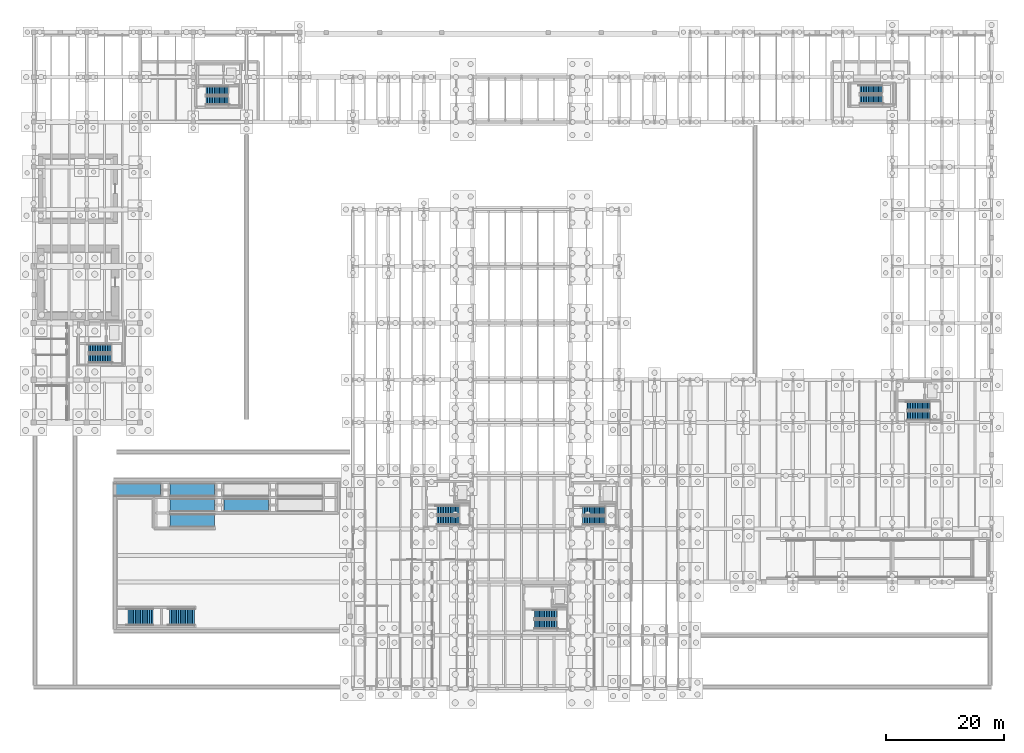
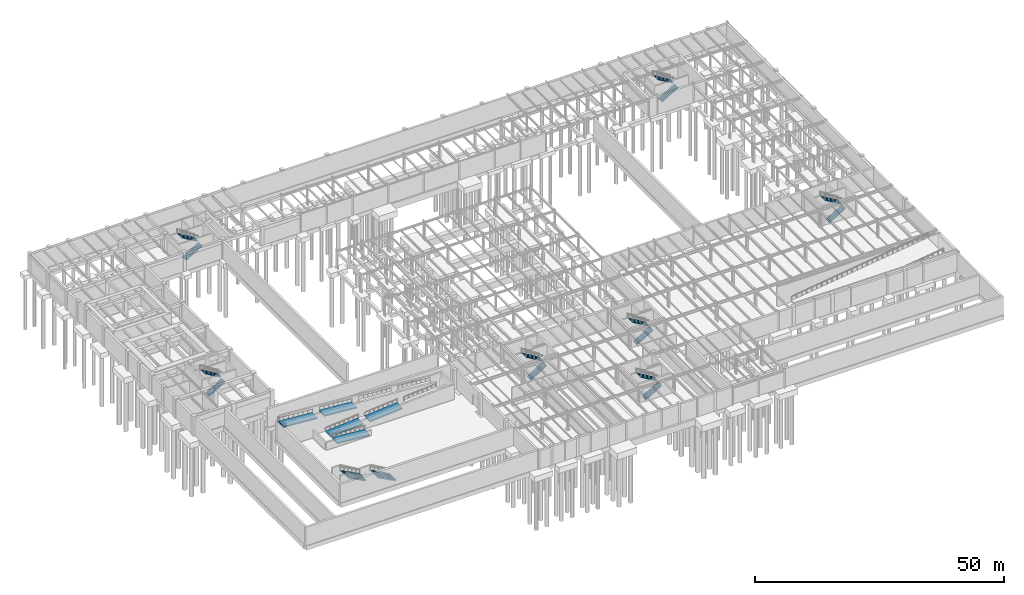
# One storey, part 48 of 59: 16 stair flights, 5 ramp flights, 13 elements without a shape of their own.
"""IFC4 building model written with IfcOpenShell, lengths in metres."""

from ifc_helpers import new_model, si_unit, direction, frame, origin, place, context, subcontext, project, spatial, polyline, outline, extrude, material, layer, layer_set, type_object, element, aggregate, save


model = new_model("IFC4")

# Units and contexts
model_context = context("Model", 3, precision=1e-05, world=origin(), true_north=direction((0.0, 1.0)))
body_context = subcontext(model_context, "Body", "Model", "MODEL_VIEW")
ifc_project = project(units=[si_unit("LENGTHUNIT", "METRE"), si_unit("AREAUNIT", "SQUARE_METRE"), si_unit("VOLUMEUNIT", "CUBIC_METRE"), si_unit("PLANEANGLEUNIT", "RADIAN"), si_unit("MASSUNIT", "GRAM", prefix="KILO")], contexts=[model_context])

# Site, building, storey
site_placement = place(None, origin())
site = spatial("IfcSite", under=ifc_project, at=site_placement, CompositionType="ELEMENT")
building_placement = place(site_placement, origin())
building = spatial("IfcBuilding", under=site, at=building_placement, Name="Montealbar Specialist Clinic", CompositionType="ELEMENT")
storey_placement = place(building_placement, frame((0.0, 0.0, -4.800048828125)))
storey = spatial("IfcBuildingStorey", under=building, at=storey_placement, Name="B01", CompositionType="ELEMENT", Elevation=-4.800048828125)

# Stair, stair flights
ifc_material_1 = material(Name="Concrete C35/45", Category="concrete")
stair_type_1 = type_object("IfcStairType", Name="STAIR-HT-01", PredefinedType="HALF_TURN_STAIR", material=ifc_material_1)
stair_1_placement = place(storey_placement, origin())
stair_1 = element("IfcStair", 1, at=stair_1_placement, inside=storey, type_object=stair_type_1, Name="B01 Protected Exit Stair Core C1", PredefinedType="HALF_TURN_STAIR")
stair_flight_type_1 = type_object("IfcStairFlightType", Name="FLIGHT-HT-01", PredefinedType="STRAIGHT", material=ifc_material_1)
stair_flight_1_placement = place(storey_placement, frame((9.35009765625, 55.824951171875, 0.0), z_axis=(0.0, 0.0, 1.0), x_axis=(1.0, 0.0, 0.0)))
stair_flight_1 = element("IfcStairFlight", 2, at=stair_flight_1_placement, type_object=stair_flight_type_1, Name="ST-01 flight 1", NumberOfRisers=14, NumberOfTreads=13, PredefinedType="STRAIGHT", RiserHeight=0.171428571, TreadLength=0.285, context=body_context, shape_type="SweptSolid", body=[
    extrude(outline(polyline([(-0.02490234375, 0.0), (-0.02490234375, 0.0400390625), (0.0, 0.0400390625), (0.0, 0.17138671875), (0.284912109375, 0.17138671875), (0.284912109375, 0.3427734375), (0.570068359375, 0.3427734375), (0.570068359375, 0.514404296875), (0.85498046875, 0.514404296875), (0.85498046875, 0.685791015625), (1.139892578125, 0.685791015625), (1.139892578125, 0.857177734375), (1.425048828125, 0.857177734375), (1.425048828125, 1.028564453125), (1.7099609375, 1.028564453125), (1.7099609375, 1.199951171875), (1.9951171875, 1.199951171875), (1.9951171875, 1.371337890625), (2.280029296875, 1.371337890625), (2.280029296875, 1.54296875), (2.56494140625, 1.54296875), (2.56494140625, 1.71435546875), (2.85009765625, 1.71435546875), (2.85009765625, 1.8857421875), (3.135009765625, 1.8857421875), (3.135009765625, 2.05712890625), (3.419921875, 2.05712890625), (3.419921875, 2.228515625), (3.705078125, 2.228515625), (3.705078125, 2.39990234375), (3.72998046875, 2.39990234375), (3.72998046875, 2.0537109375), (3.705078125, 2.0537109375), (0.290771484375, 0.0), (-0.02490234375, 0.0)])), frame((0.0, 0.72509765625, 0.0), z_axis=(0.0, -1.0, 0.0), x_axis=(1.0, 0.0, 0.0)), (0.0, 0.0, 1.0), 1.449951171875),
])
stair_flight_2_placement = place(storey_placement, frame((13.054931640625, 57.47509765625, 2.400146484375), z_axis=(0.0, 0.0, 1.0), x_axis=(-1.0, 0.0, 0.0)))
stair_flight_2 = element("IfcStairFlight", 3, at=stair_flight_2_placement, type_object=stair_flight_type_1, Name="ST-01 flight 2", NumberOfRisers=14, NumberOfTreads=13, PredefinedType="STRAIGHT", RiserHeight=0.171428571, TreadLength=0.285, context=body_context, shape_type="SweptSolid", body=[
    extrude(outline(polyline([(-0.02490234375, 0.0), (-0.02490234375, 0.0400390625), (0.0, 0.0400390625), (0.0, 0.17138671875), (0.284912109375, 0.17138671875), (0.284912109375, 0.3427734375), (0.570068359375, 0.3427734375), (0.570068359375, 0.514404296875), (0.85498046875, 0.514404296875), (0.85498046875, 0.685791015625), (1.139892578125, 0.685791015625), (1.139892578125, 0.857177734375), (1.425048828125, 0.857177734375), (1.425048828125, 1.028564453125), (1.7099609375, 1.028564453125), (1.7099609375, 1.199951171875), (1.9951171875, 1.199951171875), (1.9951171875, 1.371337890625), (2.280029296875, 1.371337890625), (2.280029296875, 1.54296875), (2.56494140625, 1.54296875), (2.56494140625, 1.71435546875), (2.85009765625, 1.71435546875), (2.85009765625, 1.8857421875), (3.135009765625, 1.8857421875), (3.135009765625, 2.05712890625), (3.419921875, 2.05712890625), (3.419921875, 2.228515625), (3.705078125, 2.228515625), (3.705078125, 2.39990234375), (3.72998046875, 2.39990234375), (3.72998046875, 2.0537109375), (3.705078125, 2.0537109375), (0.290771484375, 0.0), (-0.02490234375, 0.0)])), frame((0.0, 0.72509765625, 0.0), z_axis=(0.0, -1.0, 0.0), x_axis=(1.0, 0.0, 0.0)), (0.0, 0.0, 1.0), 1.449951171875),
])
aggregate(stair_1, [stair_flight_1, stair_flight_2])

stair_2_placement = place(storey_placement, origin())
stair_2 = element("IfcStair", 4, at=stair_2_placement, inside=storey, type_object=stair_type_1, Name="B01 Protected Exit Stair Core C2", PredefinedType="HALF_TURN_STAIR")
stair_flight_3_placement = place(storey_placement, frame((29.14990234375, 99.425048828125, 0.0), z_axis=(0.0, 0.0, 1.0), x_axis=(1.0, 0.0, 0.0)))
stair_flight_3 = element("IfcStairFlight", 5, at=stair_flight_3_placement, type_object=stair_flight_type_1, Name="ST-02 flight 1", NumberOfRisers=14, NumberOfTreads=13, PredefinedType="STRAIGHT", RiserHeight=0.171428571, TreadLength=0.285, context=body_context, shape_type="SweptSolid", body=[
    extrude(outline(polyline([(-0.02490234375, 0.0), (-0.02490234375, 0.0400390625), (0.0, 0.0400390625), (0.0, 0.17138671875), (0.284912109375, 0.17138671875), (0.284912109375, 0.3427734375), (0.570068359375, 0.3427734375), (0.570068359375, 0.514404296875), (0.85498046875, 0.514404296875), (0.85498046875, 0.685791015625), (1.139892578125, 0.685791015625), (1.139892578125, 0.857177734375), (1.425048828125, 0.857177734375), (1.425048828125, 1.028564453125), (1.7099609375, 1.028564453125), (1.7099609375, 1.199951171875), (1.9951171875, 1.199951171875), (1.9951171875, 1.371337890625), (2.280029296875, 1.371337890625), (2.280029296875, 1.54296875), (2.56494140625, 1.54296875), (2.56494140625, 1.71435546875), (2.85009765625, 1.71435546875), (2.85009765625, 1.8857421875), (3.135009765625, 1.8857421875), (3.135009765625, 2.05712890625), (3.419921875, 2.05712890625), (3.419921875, 2.228515625), (3.705078125, 2.228515625), (3.705078125, 2.39990234375), (3.72998046875, 2.39990234375), (3.72998046875, 2.0537109375), (3.705078125, 2.0537109375), (0.290771484375, 0.0), (-0.02490234375, 0.0)])), frame((0.0, 0.72509765625, 0.0), z_axis=(0.0, -1.0, 0.0), x_axis=(1.0, 0.0, 0.0)), (0.0, 0.0, 1.0), 1.449951171875),
])
stair_flight_4_placement = place(storey_placement, frame((32.85498046875, 101.074951171875, 2.400146484375), z_axis=(0.0, 0.0, 1.0), x_axis=(-1.0, 0.0, 0.0)))
stair_flight_4 = element("IfcStairFlight", 6, at=stair_flight_4_placement, type_object=stair_flight_type_1, Name="ST-02 flight 2", NumberOfRisers=14, NumberOfTreads=13, PredefinedType="STRAIGHT", RiserHeight=0.171428571, TreadLength=0.285, context=body_context, shape_type="SweptSolid", body=[
    extrude(outline(polyline([(-0.02490234375, 0.0), (-0.02490234375, 0.0400390625), (0.0, 0.0400390625), (0.0, 0.17138671875), (0.284912109375, 0.17138671875), (0.284912109375, 0.3427734375), (0.570068359375, 0.3427734375), (0.570068359375, 0.514404296875), (0.85498046875, 0.514404296875), (0.85498046875, 0.685791015625), (1.139892578125, 0.685791015625), (1.139892578125, 0.857177734375), (1.425048828125, 0.857177734375), (1.425048828125, 1.028564453125), (1.7099609375, 1.028564453125), (1.7099609375, 1.199951171875), (1.9951171875, 1.199951171875), (1.9951171875, 1.371337890625), (2.280029296875, 1.371337890625), (2.280029296875, 1.54296875), (2.56494140625, 1.54296875), (2.56494140625, 1.71435546875), (2.85009765625, 1.71435546875), (2.85009765625, 1.8857421875), (3.135009765625, 1.8857421875), (3.135009765625, 2.05712890625), (3.419921875, 2.05712890625), (3.419921875, 2.228515625), (3.705078125, 2.228515625), (3.705078125, 2.39990234375), (3.72998046875, 2.39990234375), (3.72998046875, 2.0537109375), (3.705078125, 2.0537109375), (0.290771484375, 0.0), (-0.02490234375, 0.0)])), frame((0.0, 0.72509765625, 0.0), z_axis=(0.0, -1.0, 0.0), x_axis=(1.0, 0.0, 0.0)), (0.0, 0.0, 1.0), 1.449951171875),
])
aggregate(stair_2, [stair_flight_3, stair_flight_4])

stair_3_placement = place(storey_placement, origin())
stair_3 = element("IfcStair", 7, at=stair_3_placement, inside=storey, type_object=stair_type_1, Name="B01 Protected Exit Stair Core C5", PredefinedType="HALF_TURN_STAIR")
stair_flight_5_placement = place(storey_placement, frame((92.85009765625, 28.425048828125, 0.0), z_axis=(0.0, 0.0, 1.0), x_axis=(1.0, 0.0, 0.0)))
stair_flight_5 = element("IfcStairFlight", 8, at=stair_flight_5_placement, type_object=stair_flight_type_1, Name="ST-05 flight 1", NumberOfRisers=14, NumberOfTreads=13, PredefinedType="STRAIGHT", RiserHeight=0.171428571, TreadLength=0.285, context=body_context, shape_type="SweptSolid", body=[
    extrude(outline(polyline([(-0.02490234375, 0.0), (-0.02490234375, 0.0400390625), (0.0, 0.0400390625), (0.0, 0.17138671875), (0.284912109375, 0.17138671875), (0.284912109375, 0.3427734375), (0.570068359375, 0.3427734375), (0.570068359375, 0.514404296875), (0.85498046875, 0.514404296875), (0.85498046875, 0.685791015625), (1.139892578125, 0.685791015625), (1.139892578125, 0.857177734375), (1.425048828125, 0.857177734375), (1.425048828125, 1.028564453125), (1.7099609375, 1.028564453125), (1.7099609375, 1.199951171875), (1.9951171875, 1.199951171875), (1.9951171875, 1.371337890625), (2.280029296875, 1.371337890625), (2.280029296875, 1.54296875), (2.56494140625, 1.54296875), (2.56494140625, 1.71435546875), (2.85009765625, 1.71435546875), (2.85009765625, 1.8857421875), (3.135009765625, 1.8857421875), (3.135009765625, 2.05712890625), (3.419921875, 2.05712890625), (3.419921875, 2.228515625), (3.705078125, 2.228515625), (3.705078125, 2.39990234375), (3.72998046875, 2.39990234375), (3.72998046875, 2.0537109375), (3.705078125, 2.0537109375), (0.290771484375, 0.0), (-0.02490234375, 0.0)])), frame((0.0, 0.72509765625, 0.0), z_axis=(0.0, -1.0, 0.0), x_axis=(1.0, 0.0, 0.0)), (0.0, 0.0, 1.0), 1.449951171875),
])
stair_flight_6_placement = place(storey_placement, frame((96.554931640625, 30.074951171875, 2.400146484375), z_axis=(0.0, 0.0, 1.0), x_axis=(-1.0, 0.0, 0.0)))
stair_flight_6 = element("IfcStairFlight", 9, at=stair_flight_6_placement, type_object=stair_flight_type_1, Name="ST-05 flight 2", NumberOfRisers=14, NumberOfTreads=13, PredefinedType="STRAIGHT", RiserHeight=0.171428571, TreadLength=0.285, context=body_context, shape_type="SweptSolid", body=[
    extrude(outline(polyline([(-0.02490234375, 0.0), (-0.02490234375, 0.0400390625), (0.0, 0.0400390625), (0.0, 0.17138671875), (0.284912109375, 0.17138671875), (0.284912109375, 0.3427734375), (0.570068359375, 0.3427734375), (0.570068359375, 0.514404296875), (0.85498046875, 0.514404296875), (0.85498046875, 0.685791015625), (1.139892578125, 0.685791015625), (1.139892578125, 0.857177734375), (1.425048828125, 0.857177734375), (1.425048828125, 1.028564453125), (1.7099609375, 1.028564453125), (1.7099609375, 1.199951171875), (1.9951171875, 1.199951171875), (1.9951171875, 1.371337890625), (2.280029296875, 1.371337890625), (2.280029296875, 1.54296875), (2.56494140625, 1.54296875), (2.56494140625, 1.71435546875), (2.85009765625, 1.71435546875), (2.85009765625, 1.8857421875), (3.135009765625, 1.8857421875), (3.135009765625, 2.05712890625), (3.419921875, 2.05712890625), (3.419921875, 2.228515625), (3.705078125, 2.228515625), (3.705078125, 2.39990234375), (3.72998046875, 2.39990234375), (3.72998046875, 2.0537109375), (3.705078125, 2.0537109375), (0.290771484375, 0.0), (-0.02490234375, 0.0)])), frame((0.0, 0.72509765625, 0.0), z_axis=(0.0, -1.0, 0.0), x_axis=(1.0, 0.0, 0.0)), (0.0, 0.0, 1.0), 1.449951171875),
])
aggregate(stair_3, [stair_flight_5, stair_flight_6])

stair_4_placement = place(storey_placement, origin())
stair_4 = element("IfcStair", 10, at=stair_4_placement, inside=storey, type_object=stair_type_1, Name="B01 Protected Exit Stair Core C6", PredefinedType="HALF_TURN_STAIR")
stair_flight_7_placement = place(storey_placement, frame((147.75, 46.125, 0.0), z_axis=(0.0, 0.0, 1.0), x_axis=(1.0, 0.0, 0.0)))
stair_flight_7 = element("IfcStairFlight", 11, at=stair_flight_7_placement, type_object=stair_flight_type_1, Name="ST-06 flight 1", NumberOfRisers=14, NumberOfTreads=13, PredefinedType="STRAIGHT", RiserHeight=0.171428571, TreadLength=0.285, context=body_context, shape_type="SweptSolid", body=[
    extrude(outline(polyline([(-0.02490234375, 0.0), (-0.02490234375, 0.0400390625), (0.0, 0.0400390625), (0.0, 0.17138671875), (0.284912109375, 0.17138671875), (0.284912109375, 0.3427734375), (0.570068359375, 0.3427734375), (0.570068359375, 0.514404296875), (0.85498046875, 0.514404296875), (0.85498046875, 0.685791015625), (1.139892578125, 0.685791015625), (1.139892578125, 0.857177734375), (1.425048828125, 0.857177734375), (1.425048828125, 1.028564453125), (1.7099609375, 1.028564453125), (1.7099609375, 1.199951171875), (1.9951171875, 1.199951171875), (1.9951171875, 1.371337890625), (2.280029296875, 1.371337890625), (2.280029296875, 1.54296875), (2.56494140625, 1.54296875), (2.56494140625, 1.71435546875), (2.85009765625, 1.71435546875), (2.85009765625, 1.8857421875), (3.135009765625, 1.8857421875), (3.135009765625, 2.05712890625), (3.419921875, 2.05712890625), (3.419921875, 2.228515625), (3.705078125, 2.228515625), (3.705078125, 2.39990234375), (3.72998046875, 2.39990234375), (3.72998046875, 2.0537109375), (3.705078125, 2.0537109375), (0.290771484375, 0.0), (-0.02490234375, 0.0)])), frame((0.0, 0.72509765625, 0.0), z_axis=(0.0, -1.0, 0.0), x_axis=(1.0, 0.0, 0.0)), (0.0, 0.0, 1.0), 1.449951171875),
])
stair_flight_8_placement = place(storey_placement, frame((151.455078125, 47.77490234375, 2.400146484375), z_axis=(0.0, 0.0, 1.0), x_axis=(-1.0, 0.0, 0.0)))
stair_flight_8 = element("IfcStairFlight", 12, at=stair_flight_8_placement, type_object=stair_flight_type_1, Name="ST-06 flight 2", NumberOfRisers=14, NumberOfTreads=13, PredefinedType="STRAIGHT", RiserHeight=0.171428571, TreadLength=0.285, context=body_context, shape_type="SweptSolid", body=[
    extrude(outline(polyline([(-0.02490234375, 0.0), (-0.02490234375, 0.0400390625), (0.0, 0.0400390625), (0.0, 0.17138671875), (0.284912109375, 0.17138671875), (0.284912109375, 0.3427734375), (0.570068359375, 0.3427734375), (0.570068359375, 0.514404296875), (0.85498046875, 0.514404296875), (0.85498046875, 0.685791015625), (1.139892578125, 0.685791015625), (1.139892578125, 0.857177734375), (1.425048828125, 0.857177734375), (1.425048828125, 1.028564453125), (1.7099609375, 1.028564453125), (1.7099609375, 1.199951171875), (1.9951171875, 1.199951171875), (1.9951171875, 1.371337890625), (2.280029296875, 1.371337890625), (2.280029296875, 1.54296875), (2.56494140625, 1.54296875), (2.56494140625, 1.71435546875), (2.85009765625, 1.71435546875), (2.85009765625, 1.8857421875), (3.135009765625, 1.8857421875), (3.135009765625, 2.05712890625), (3.419921875, 2.05712890625), (3.419921875, 2.228515625), (3.705078125, 2.228515625), (3.705078125, 2.39990234375), (3.72998046875, 2.39990234375), (3.72998046875, 2.0537109375), (3.705078125, 2.0537109375), (0.290771484375, 0.0), (-0.02490234375, 0.0)])), frame((0.0, 0.72509765625, 0.0), z_axis=(0.0, -1.0, 0.0), x_axis=(1.0, 0.0, 0.0)), (0.0, 0.0, 1.0), 1.449951171875),
])
aggregate(stair_4, [stair_flight_7, stair_flight_8])

stair_5_placement = place(storey_placement, origin())
stair_5 = element("IfcStair", 13, at=stair_5_placement, inside=storey, type_object=stair_type_1, Name="B01 Protected Exit Stair Core C7", PredefinedType="HALF_TURN_STAIR")
stair_flight_9_placement = place(storey_placement, frame((139.75, 99.625, 0.0), z_axis=(0.0, 0.0, 1.0), x_axis=(1.0, 0.0, 0.0)))
stair_flight_9 = element("IfcStairFlight", 14, at=stair_flight_9_placement, type_object=stair_flight_type_1, Name="ST-07 flight 1", NumberOfRisers=14, NumberOfTreads=13, PredefinedType="STRAIGHT", RiserHeight=0.171428571, TreadLength=0.285, context=body_context, shape_type="SweptSolid", body=[
    extrude(outline(polyline([(-0.02490234375, 0.0), (-0.02490234375, 0.0400390625), (0.0, 0.0400390625), (0.0, 0.17138671875), (0.284912109375, 0.17138671875), (0.284912109375, 0.3427734375), (0.570068359375, 0.3427734375), (0.570068359375, 0.514404296875), (0.85498046875, 0.514404296875), (0.85498046875, 0.685791015625), (1.139892578125, 0.685791015625), (1.139892578125, 0.857177734375), (1.425048828125, 0.857177734375), (1.425048828125, 1.028564453125), (1.7099609375, 1.028564453125), (1.7099609375, 1.199951171875), (1.9951171875, 1.199951171875), (1.9951171875, 1.371337890625), (2.280029296875, 1.371337890625), (2.280029296875, 1.54296875), (2.56494140625, 1.54296875), (2.56494140625, 1.71435546875), (2.85009765625, 1.71435546875), (2.85009765625, 1.8857421875), (3.135009765625, 1.8857421875), (3.135009765625, 2.05712890625), (3.419921875, 2.05712890625), (3.419921875, 2.228515625), (3.705078125, 2.228515625), (3.705078125, 2.39990234375), (3.72998046875, 2.39990234375), (3.72998046875, 2.0537109375), (3.705078125, 2.0537109375), (0.290771484375, 0.0), (-0.02490234375, 0.0)])), frame((0.0, 0.72509765625, 0.0), z_axis=(0.0, -1.0, 0.0), x_axis=(1.0, 0.0, 0.0)), (0.0, 0.0, 1.0), 1.449951171875),
])
stair_flight_10_placement = place(storey_placement, frame((143.455078125, 101.27490234375, 2.400146484375), z_axis=(0.0, 0.0, 1.0), x_axis=(-1.0, 0.0, 0.0)))
stair_flight_10 = element("IfcStairFlight", 15, at=stair_flight_10_placement, type_object=stair_flight_type_1, Name="ST-07 flight 2", NumberOfRisers=14, NumberOfTreads=13, PredefinedType="STRAIGHT", RiserHeight=0.171428571, TreadLength=0.285, context=body_context, shape_type="SweptSolid", body=[
    extrude(outline(polyline([(-0.02490234375, 0.0), (-0.02490234375, 0.0400390625), (0.0, 0.0400390625), (0.0, 0.17138671875), (0.284912109375, 0.17138671875), (0.284912109375, 0.3427734375), (0.570068359375, 0.3427734375), (0.570068359375, 0.514404296875), (0.85498046875, 0.514404296875), (0.85498046875, 0.685791015625), (1.139892578125, 0.685791015625), (1.139892578125, 0.857177734375), (1.425048828125, 0.857177734375), (1.425048828125, 1.028564453125), (1.7099609375, 1.028564453125), (1.7099609375, 1.199951171875), (1.9951171875, 1.199951171875), (1.9951171875, 1.371337890625), (2.280029296875, 1.371337890625), (2.280029296875, 1.54296875), (2.56494140625, 1.54296875), (2.56494140625, 1.71435546875), (2.85009765625, 1.71435546875), (2.85009765625, 1.8857421875), (3.135009765625, 1.8857421875), (3.135009765625, 2.05712890625), (3.419921875, 2.05712890625), (3.419921875, 2.228515625), (3.705078125, 2.228515625), (3.705078125, 2.39990234375), (3.72998046875, 2.39990234375), (3.72998046875, 2.0537109375), (3.705078125, 2.0537109375), (0.290771484375, 0.0), (-0.02490234375, 0.0)])), frame((0.0, 0.72509765625, 0.0), z_axis=(0.0, -1.0, 0.0), x_axis=(1.0, 0.0, 0.0)), (0.0, 0.0, 1.0), 1.449951171875),
])
aggregate(stair_5, [stair_flight_9, stair_flight_10])

stair_type_2 = type_object("IfcStairType", Name="STAIR-HT-04", PredefinedType="HALF_TURN_STAIR", material=ifc_material_1)
stair_6_placement = place(storey_placement, origin())
stair_6 = element("IfcStair", 16, at=stair_6_placement, inside=storey, type_object=stair_type_2, Name="B01 Protected Exit Stair Core C3", PredefinedType="HALF_TURN_STAIR")
stair_flight_type_2 = type_object("IfcStairFlightType", Name="FLIGHT-HT-04", PredefinedType="STRAIGHT", material=ifc_material_1)
stair_flight_11_placement = place(storey_placement, frame((68.199951171875, 28.449951171875, 0.0), z_axis=(0.0, 0.0, 1.0), x_axis=(1.0, 0.0, 0.0)))
stair_flight_11 = element("IfcStairFlight", 17, at=stair_flight_11_placement, type_object=stair_flight_type_2, Name="ST-03 flight 1", NumberOfRisers=14, NumberOfTreads=13, PredefinedType="STRAIGHT", RiserHeight=0.171428571, TreadLength=0.285, context=body_context, shape_type="SweptSolid", body=[
    extrude(outline(polyline([(-0.02490234375, 0.0), (-0.02490234375, 0.0400390625), (0.0, 0.0400390625), (0.0, 0.17138671875), (0.284912109375, 0.17138671875), (0.284912109375, 0.3427734375), (0.570068359375, 0.3427734375), (0.570068359375, 0.514404296875), (0.85498046875, 0.514404296875), (0.85498046875, 0.685791015625), (1.139892578125, 0.685791015625), (1.139892578125, 0.857177734375), (1.425048828125, 0.857177734375), (1.425048828125, 1.028564453125), (1.7099609375, 1.028564453125), (1.7099609375, 1.199951171875), (1.9951171875, 1.199951171875), (1.9951171875, 1.371337890625), (2.280029296875, 1.371337890625), (2.280029296875, 1.54296875), (2.56494140625, 1.54296875), (2.56494140625, 1.71435546875), (2.85009765625, 1.71435546875), (2.85009765625, 1.8857421875), (3.135009765625, 1.8857421875), (3.135009765625, 2.05712890625), (3.419921875, 2.05712890625), (3.419921875, 2.228515625), (3.705078125, 2.228515625), (3.705078125, 2.39990234375), (3.72998046875, 2.39990234375), (3.72998046875, 2.0537109375), (3.705078125, 2.0537109375), (0.290771484375, 0.0), (-0.02490234375, 0.0)])), frame((0.0, 0.75, 0.0), z_axis=(0.0, -1.0, 0.0), x_axis=(1.0, 0.0, 0.0)), (0.0, 0.0, 1.0), 1.5),
])
stair_flight_12_placement = place(storey_placement, frame((71.905029296875, 30.14990234375, 2.400146484375), z_axis=(0.0, 0.0, 1.0), x_axis=(-1.0, 0.0, 0.0)))
stair_flight_12 = element("IfcStairFlight", 18, at=stair_flight_12_placement, type_object=stair_flight_type_2, Name="ST-03 flight 2", NumberOfRisers=14, NumberOfTreads=13, PredefinedType="STRAIGHT", RiserHeight=0.171428571, TreadLength=0.285, context=body_context, shape_type="SweptSolid", body=[
    extrude(outline(polyline([(-0.02490234375, 0.0), (-0.02490234375, 0.0400390625), (0.0, 0.0400390625), (0.0, 0.17138671875), (0.284912109375, 0.17138671875), (0.284912109375, 0.3427734375), (0.570068359375, 0.3427734375), (0.570068359375, 0.514404296875), (0.85498046875, 0.514404296875), (0.85498046875, 0.685791015625), (1.139892578125, 0.685791015625), (1.139892578125, 0.857177734375), (1.425048828125, 0.857177734375), (1.425048828125, 1.028564453125), (1.7099609375, 1.028564453125), (1.7099609375, 1.199951171875), (1.9951171875, 1.199951171875), (1.9951171875, 1.371337890625), (2.280029296875, 1.371337890625), (2.280029296875, 1.54296875), (2.56494140625, 1.54296875), (2.56494140625, 1.71435546875), (2.85009765625, 1.71435546875), (2.85009765625, 1.8857421875), (3.135009765625, 1.8857421875), (3.135009765625, 2.05712890625), (3.419921875, 2.05712890625), (3.419921875, 2.228515625), (3.705078125, 2.228515625), (3.705078125, 2.39990234375), (3.72998046875, 2.39990234375), (3.72998046875, 2.0537109375), (3.705078125, 2.0537109375), (0.290771484375, 0.0), (-0.02490234375, 0.0)])), frame((0.0, 0.75, 0.0), z_axis=(0.0, -1.0, 0.0), x_axis=(1.0, 0.0, 0.0)), (0.0, 0.0, 1.0), 1.5),
])
aggregate(stair_6, [stair_flight_11, stair_flight_12])

stair_7_placement = place(storey_placement, origin())
stair_7 = element("IfcStair", 19, at=stair_7_placement, inside=storey, type_object=stair_type_2, Name="B01 Protected Exit Stair Core C4", PredefinedType="HALF_TURN_STAIR")
stair_flight_13_placement = place(storey_placement, frame((84.699951171875, 10.85009765625, 0.0), z_axis=(0.0, 0.0, 1.0), x_axis=(1.0, 0.0, 0.0)))
stair_flight_13 = element("IfcStairFlight", 20, at=stair_flight_13_placement, type_object=stair_flight_type_2, Name="ST-04 flight 1", NumberOfRisers=14, NumberOfTreads=13, PredefinedType="STRAIGHT", RiserHeight=0.171428571, TreadLength=0.285, context=body_context, shape_type="SweptSolid", body=[
    extrude(outline(polyline([(-0.02490234375, 0.0), (-0.02490234375, 0.0400390625), (0.0, 0.0400390625), (0.0, 0.17138671875), (0.284912109375, 0.17138671875), (0.284912109375, 0.3427734375), (0.570068359375, 0.3427734375), (0.570068359375, 0.514404296875), (0.85498046875, 0.514404296875), (0.85498046875, 0.685791015625), (1.139892578125, 0.685791015625), (1.139892578125, 0.857177734375), (1.425048828125, 0.857177734375), (1.425048828125, 1.028564453125), (1.7099609375, 1.028564453125), (1.7099609375, 1.199951171875), (1.9951171875, 1.199951171875), (1.9951171875, 1.371337890625), (2.280029296875, 1.371337890625), (2.280029296875, 1.54296875), (2.56494140625, 1.54296875), (2.56494140625, 1.71435546875), (2.85009765625, 1.71435546875), (2.85009765625, 1.8857421875), (3.135009765625, 1.8857421875), (3.135009765625, 2.05712890625), (3.419921875, 2.05712890625), (3.419921875, 2.228515625), (3.705078125, 2.228515625), (3.705078125, 2.39990234375), (3.72998046875, 2.39990234375), (3.72998046875, 2.0537109375), (3.705078125, 2.0537109375), (0.290771484375, 0.0), (-0.02490234375, 0.0)])), frame((0.0, 0.75, 0.0), z_axis=(0.0, -1.0, 0.0), x_axis=(1.0, 0.0, 0.0)), (0.0, 0.0, 1.0), 1.5),
])
stair_flight_14_placement = place(storey_placement, frame((88.405029296875, 12.550048828125, 2.400146484375), z_axis=(0.0, 0.0, 1.0), x_axis=(-1.0, 0.0, 0.0)))
stair_flight_14 = element("IfcStairFlight", 21, at=stair_flight_14_placement, type_object=stair_flight_type_2, Name="ST-04 flight 2", NumberOfRisers=14, NumberOfTreads=13, PredefinedType="STRAIGHT", RiserHeight=0.171428571, TreadLength=0.285, context=body_context, shape_type="SweptSolid", body=[
    extrude(outline(polyline([(-0.02490234375, 0.0), (-0.02490234375, 0.0400390625), (0.0, 0.0400390625), (0.0, 0.17138671875), (0.284912109375, 0.17138671875), (0.284912109375, 0.3427734375), (0.570068359375, 0.3427734375), (0.570068359375, 0.514404296875), (0.85498046875, 0.514404296875), (0.85498046875, 0.685791015625), (1.139892578125, 0.685791015625), (1.139892578125, 0.857177734375), (1.425048828125, 0.857177734375), (1.425048828125, 1.028564453125), (1.7099609375, 1.028564453125), (1.7099609375, 1.199951171875), (1.9951171875, 1.199951171875), (1.9951171875, 1.371337890625), (2.280029296875, 1.371337890625), (2.280029296875, 1.54296875), (2.56494140625, 1.54296875), (2.56494140625, 1.71435546875), (2.85009765625, 1.71435546875), (2.85009765625, 1.8857421875), (3.135009765625, 1.8857421875), (3.135009765625, 2.05712890625), (3.419921875, 2.05712890625), (3.419921875, 2.228515625), (3.705078125, 2.228515625), (3.705078125, 2.39990234375), (3.72998046875, 2.39990234375), (3.72998046875, 2.0537109375), (3.705078125, 2.0537109375), (0.290771484375, 0.0), (-0.02490234375, 0.0)])), frame((0.0, 0.75, 0.0), z_axis=(0.0, -1.0, 0.0), x_axis=(1.0, 0.0, 0.0)), (0.0, 0.0, 1.0), 1.5),
])
aggregate(stair_7, [stair_flight_13, stair_flight_14])

ifc_material_2 = material(Name="Guadarrama granite ashlar", Category="masonry")
stair_type_3 = type_object("IfcStairType", Name="STAIR-METRO-GRAND", PredefinedType="STRAIGHT_RUN_STAIR", material=ifc_material_2)
stair_8_placement = place(storey_placement, origin())
stair_8 = element("IfcStair", 22, at=stair_8_placement, inside=storey, type_object=stair_type_3, Name="Sunken Metro Forecourt Ceremonial Grand Stair ST-M1", PredefinedType="STRAIGHT_RUN_STAIR")
stair_flight_type_3 = type_object("IfcStairFlightType", Name="FLIGHT-METRO-GRAND", PredefinedType="STRAIGHT", material=ifc_material_2)
stair_flight_15_placement = place(storey_placement, frame((27.199951171875, 12.10009765625, 0.0), z_axis=(0.0, 0.0, 1.0), x_axis=(-1.0, 0.0, 0.0)))
stair_flight_15 = element("IfcStairFlight", 23, at=stair_flight_15_placement, type_object=stair_flight_type_3, Name="Grand Stair ST-M1 Lower Flight", NumberOfRisers=15, NumberOfTreads=14, PredefinedType="STRAIGHT", RiserHeight=0.16, TreadLength=0.3, context=body_context, shape_type="SweptSolid", body=[
    extrude(outline(polyline([(-0.02490234375, 0.0), (-0.02490234375, 0.0400390625), (0.0, 0.0400390625), (0.0, 0.159912109375), (0.300048828125, 0.159912109375), (0.300048828125, 0.320068359375), (0.60009765625, 0.320068359375), (0.60009765625, 0.47998046875), (0.89990234375, 0.47998046875), (0.89990234375, 0.639892578125), (1.199951171875, 0.639892578125), (1.199951171875, 0.800048828125), (1.5, 0.800048828125), (1.5, 0.9599609375), (1.800048828125, 0.9599609375), (1.800048828125, 1.1201171875), (2.10009765625, 1.1201171875), (2.10009765625, 1.280029296875), (2.39990234375, 1.280029296875), (2.39990234375, 1.43994140625), (2.699951171875, 1.43994140625), (2.699951171875, 1.60009765625), (3.0, 1.60009765625), (3.0, 1.760009765625), (3.300048828125, 1.760009765625), (3.300048828125, 1.919921875), (3.60009765625, 1.919921875), (3.60009765625, 2.080078125), (3.89990234375, 2.080078125), (3.89990234375, 2.239990234375), (4.199951171875, 2.239990234375), (4.199951171875, 2.39990234375), (4.22509765625, 2.39990234375), (4.22509765625, 2.0361328125), (4.199951171875, 2.0361328125), (0.38232421875, 0.0), (-0.02490234375, 0.0)])), frame((0.0, 1.39990234375, 0.0), z_axis=(0.0, -1.0, 0.0), x_axis=(1.0, 0.0, 0.0)), (0.0, 0.0, 1.0), 2.800048828125),
])
stair_flight_16_placement = place(storey_placement, frame((20.199951171875, 12.10009765625, 2.400146484375), z_axis=(0.0, 0.0, 1.0), x_axis=(-1.0, 0.0, 0.0)))
stair_flight_16 = element("IfcStairFlight", 24, at=stair_flight_16_placement, type_object=stair_flight_type_3, Name="Grand Stair ST-M1 Upper Flight", NumberOfRisers=15, NumberOfTreads=14, PredefinedType="STRAIGHT", RiserHeight=0.16, TreadLength=0.3, context=body_context, shape_type="SweptSolid", body=[
    extrude(outline(polyline([(-0.02490234375, 0.0), (-0.02490234375, 0.0400390625), (0.0, 0.0400390625), (0.0, 0.159912109375), (0.300048828125, 0.159912109375), (0.300048828125, 0.320068359375), (0.60009765625, 0.320068359375), (0.60009765625, 0.47998046875), (0.89990234375, 0.47998046875), (0.89990234375, 0.639892578125), (1.199951171875, 0.639892578125), (1.199951171875, 0.800048828125), (1.5, 0.800048828125), (1.5, 0.9599609375), (1.800048828125, 0.9599609375), (1.800048828125, 1.1201171875), (2.10009765625, 1.1201171875), (2.10009765625, 1.280029296875), (2.39990234375, 1.280029296875), (2.39990234375, 1.43994140625), (2.699951171875, 1.43994140625), (2.699951171875, 1.60009765625), (3.0, 1.60009765625), (3.0, 1.760009765625), (3.300048828125, 1.760009765625), (3.300048828125, 1.919921875), (3.60009765625, 1.919921875), (3.60009765625, 2.080078125), (3.89990234375, 2.080078125), (3.89990234375, 2.239990234375), (4.199951171875, 2.239990234375), (4.199951171875, 2.39990234375), (4.22509765625, 2.39990234375), (4.22509765625, 2.0361328125), (4.199951171875, 2.0361328125), (0.38232421875, 0.0), (-0.02490234375, 0.0)])), frame((0.0, 1.39990234375, 0.0), z_axis=(0.0, -1.0, 0.0), x_axis=(1.0, 0.0, 0.0)), (0.0, 0.0, 1.0), 2.800048828125),
])
aggregate(stair_8, [stair_flight_15, stair_flight_16])

# Ramp, ramp flight
ramp_type = type_object("IfcRampType", Name="RAMP-PED-TYPE", PredefinedType="STRAIGHT_RUN_RAMP", material=ifc_material_2)
ramp_1_placement = place(storey_placement, origin())
ramp_1 = element("IfcRamp", 25, at=ramp_1_placement, inside=storey, type_object=ramp_type, material=ifc_material_2, Name="Sunken Forecourt Accessible Terrace Ramp PR-01", PredefinedType="STRAIGHT_RUN_RAMP")
ifc_layer = layer(ifc_material_2, 0.300048828125, Name="Guadarrama granite ashlar", Category="masonry")
ifc_layer_set = layer_set([ifc_layer], Name="Guadarrama granite ashlar")
ramp_flight_type = type_object("IfcRampFlightType", Name="RAMPFLIGHT-PED-240", PredefinedType="STRAIGHT", material=ifc_layer_set)
ramp_flight_1_placement = place(storey_placement, frame((21.5, 33.60009765625, 4.199951171875), z_axis=(0.0, 0.0, 1.0), x_axis=(-1.0, 0.0, 0.0)))
ramp_flight_1 = element("IfcRampFlight", 26, at=ramp_flight_1_placement, type_object=ramp_flight_type, material=ifc_material_2, Name="Accessible Ramp Flight PR-01", PredefinedType="STRAIGHT", context=body_context, shape_type="SweptSolid", body=[
    extrude(outline(polyline([(0.0, -0.300048828125), (7.85009765625, 0.300048828125), (7.85009765625, 0.60009765625), (0.0, 0.0), (0.0, -0.300048828125)])), frame((0.0, 1.10009765625, 0.0), z_axis=(0.0, -1.0, 0.0), x_axis=(1.0, 0.0, 0.0)), (0.0, 0.0, 1.0), 2.199951171875),
])
aggregate(ramp_1, [ramp_flight_1])

ramp_2_placement = place(storey_placement, origin())
ramp_2 = element("IfcRamp", 27, at=ramp_2_placement, inside=storey, type_object=ramp_type, material=ifc_material_2, Name="Sunken Forecourt Accessible Terrace Ramp PR-02", PredefinedType="STRAIGHT_RUN_RAMP")
ramp_flight_2_placement = place(storey_placement, frame((30.60009765625, 33.60009765625, 3.60009765625), z_axis=(0.0, 0.0, 1.0), x_axis=(-1.0, 0.0, 0.0)))
ramp_flight_2 = element("IfcRampFlight", 28, at=ramp_flight_2_placement, type_object=ramp_flight_type, material=ifc_material_2, Name="Accessible Ramp Flight PR-02", PredefinedType="STRAIGHT", context=body_context, shape_type="SweptSolid", body=[
    extrude(outline(polyline([(0.0, -0.300048828125), (7.5, 0.2998046875), (7.5, 0.599853515625), (0.0, 0.0), (0.0, -0.300048828125)])), frame((0.0, 1.10009765625, 0.0), z_axis=(0.0, -1.0, 0.0), x_axis=(1.0, 0.0, 0.0)), (0.0, 0.0, 1.0), 2.199951171875),
])
aggregate(ramp_2, [ramp_flight_2])

ramp_3_placement = place(storey_placement, origin())
ramp_3 = element("IfcRamp", 29, at=ramp_3_placement, inside=storey, type_object=ramp_type, material=ifc_material_2, Name="Sunken Forecourt Accessible Terrace Ramp PR-06", PredefinedType="STRAIGHT_RUN_RAMP")
ramp_flight_3_placement = place(storey_placement, frame((32.199951171875, 31.0, 1.199951171875), z_axis=(0.0, 0.0, 1.0), x_axis=(1.0, 0.0, 0.0)))
ramp_flight_3 = element("IfcRampFlight", 30, at=ramp_flight_3_placement, type_object=ramp_flight_type, material=ifc_material_2, Name="Accessible Ramp Flight PR-06", PredefinedType="STRAIGHT", context=body_context, shape_type="SweptSolid", body=[
    extrude(outline(polyline([(0.0, -0.300048828125), (7.5, 0.300048828125), (7.5, 0.60009765625), (0.0, 0.0), (0.0, -0.300048828125)])), frame((0.0, 1.10009765625, 0.0), z_axis=(0.0, -1.0, 0.0), x_axis=(1.0, 0.0, 0.0)), (0.0, 0.0, 1.0), 2.199951171875),
])
aggregate(ramp_3, [ramp_flight_3])

ramp_4_placement = place(storey_placement, origin())
ramp_4 = element("IfcRamp", 31, at=ramp_4_placement, inside=storey, type_object=ramp_type, material=ifc_material_2, Name="Sunken Forecourt Accessible Terrace Ramp PR-07", PredefinedType="STRAIGHT_RUN_RAMP")
ramp_flight_4_placement = place(storey_placement, frame((23.10009765625, 31.0, 0.60009765625), z_axis=(0.0, 0.0, 1.0), x_axis=(1.0, 0.0, 0.0)))
ramp_flight_4 = element("IfcRampFlight", 32, at=ramp_flight_4_placement, type_object=ramp_flight_type, material=ifc_material_2, Name="Accessible Ramp Flight PR-07", PredefinedType="STRAIGHT", context=body_context, shape_type="SweptSolid", body=[
    extrude(outline(polyline([(0.0, -0.300048828125), (7.5, 0.2998046875), (7.5, 0.599853515625), (0.0, 0.0), (0.0, -0.300048828125)])), frame((0.0, 1.10009765625, 0.0), z_axis=(0.0, -1.0, 0.0), x_axis=(1.0, 0.0, 0.0)), (0.0, 0.0, 1.0), 2.199951171875),
])
aggregate(ramp_4, [ramp_flight_4])

ramp_5_placement = place(storey_placement, origin())
ramp_5 = element("IfcRamp", 33, at=ramp_5_placement, inside=storey, type_object=ramp_type, material=ifc_material_2, Name="Sunken Forecourt Accessible Terrace Ramp PR-08", PredefinedType="STRAIGHT_RUN_RAMP")
ramp_flight_5_placement = place(storey_placement, frame((30.60009765625, 28.39990234375, 0.0), z_axis=(0.0, 0.0, 1.0), x_axis=(-1.0, 0.0, 0.0)))
ramp_flight_5 = element("IfcRampFlight", 34, at=ramp_flight_5_placement, type_object=ramp_flight_type, material=ifc_material_2, Name="Accessible Ramp Flight PR-08", PredefinedType="STRAIGHT", context=body_context, shape_type="SweptSolid", body=[
    extrude(outline(polyline([(0.0, -0.300048828125), (7.5, 0.300048828125), (7.5, 0.60009765625), (0.0, 0.0), (0.0, -0.300048828125)])), frame((0.0, 1.10009765625, 0.0), z_axis=(0.0, -1.0, 0.0), x_axis=(1.0, 0.0, 0.0)), (0.0, 0.0, 1.0), 2.199951171875),
])
aggregate(ramp_5, [ramp_flight_5])

save(model, "model.ifc")
